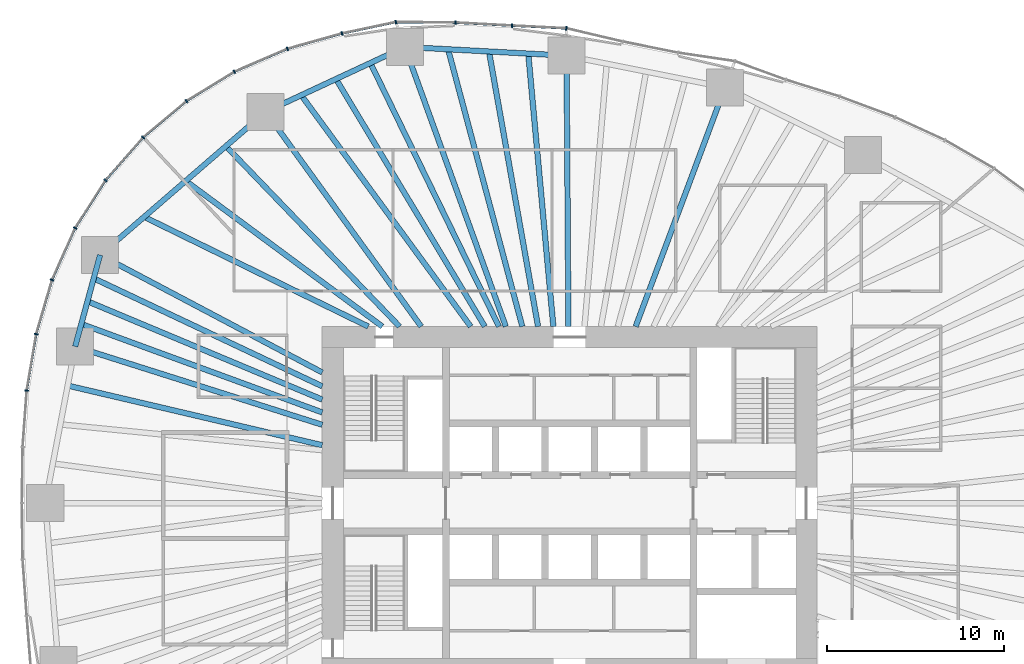
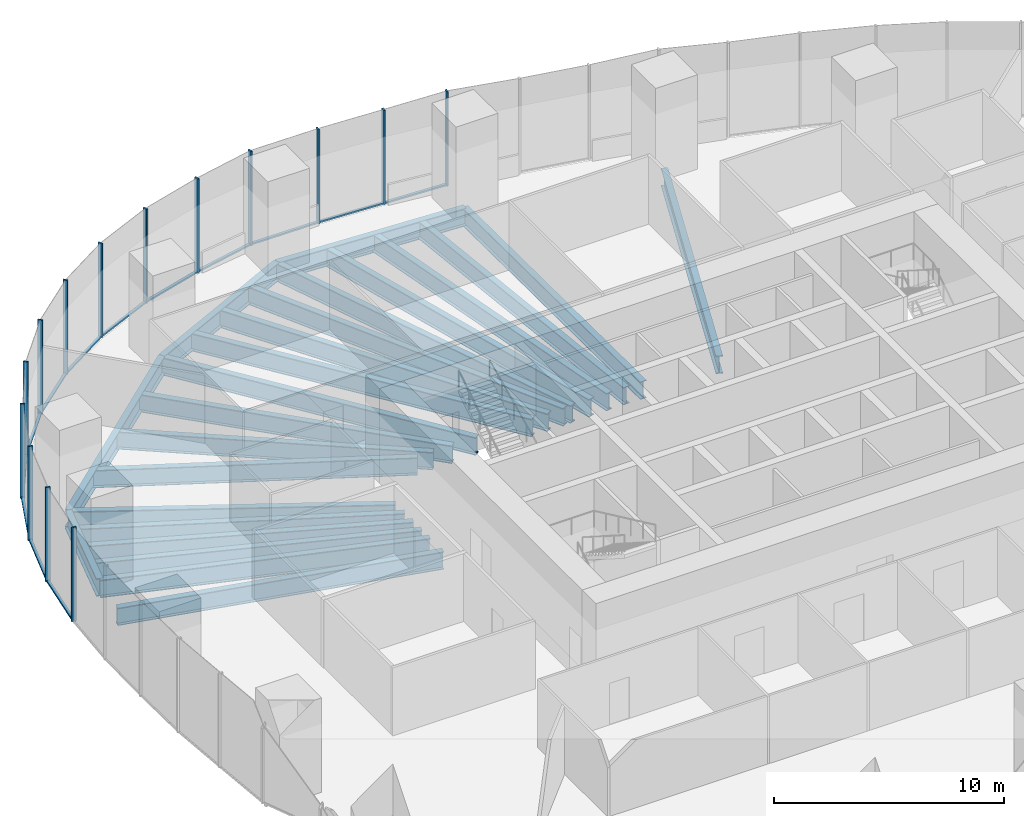
# One storey, part 5 of 20: 27 members, 23 beams, 5 elements without a shape of their own.
"""IFC4 building model written with IfcOpenShell, lengths in metres."""

from ifc_helpers import new_model, si_unit, direction, frame, origin, origin_2d, place, context, subcontext, project, spatial, rectangle, i_section, extrude, material, material_profile, profile_set, type_object, element, aggregate, save


model = new_model("IFC4")

# Units and contexts
model_context = context("Model", 3, precision=1e-05, world=origin(), true_north=direction((0.0, 1.0)))
body_context = subcontext(model_context, "Body", "Model", "MODEL_VIEW")
ifc_project = project(units=[si_unit("LENGTHUNIT", "METRE"), si_unit("AREAUNIT", "SQUARE_METRE"), si_unit("VOLUMEUNIT", "CUBIC_METRE"), si_unit("PLANEANGLEUNIT", "RADIAN"), si_unit("MASSUNIT", "GRAM", prefix="KILO")], contexts=[model_context])

# Site, building, storey
site_placement = place(None, origin())
site = spatial("IfcSite", under=ifc_project, at=site_placement, CompositionType="ELEMENT")
building_placement = place(site_placement, origin())
building = spatial("IfcBuilding", under=site, at=building_placement, Name="Ghaith Harvest Tower", CompositionType="ELEMENT")
storey_placement = place(building_placement, frame((0.0, 0.0, 25.0)))
storey = spatial("IfcBuildingStorey", under=building, at=storey_placement, Name="L05", CompositionType="ELEMENT", Elevation=25.0)

# Curtain wall, members
ifc_material_1 = material(Name="Black anodised aluminium and fritted glass", Category="aluminium")
curtain_wall_type = type_object("IfcCurtainWallType", Name="CW-F CURTAIN WALL", PredefinedType="NOTDEFINED", material=ifc_material_1)
curtain_wall_1_placement = place(storey_placement, origin())
curtain_wall_1 = element("IfcCurtainWall", 1, at=curtain_wall_1_placement, inside=storey, type_object=curtain_wall_type, Name="Curtain wall CW-F bay 06 L05", PredefinedType="NOTDEFINED")
ifc_material_2 = material(Name="Aluminium, black anodised", Category="aluminium")
ifc_material_profile_1 = material_profile(ifc_material_2, rectangle(XDim=0.080078125, YDim=0.219970703125, at=origin_2d()), Name="CW-F MULLION 80x220")
ifc_profile_set_1 = profile_set([ifc_material_profile_1], Name="Aluminium, black anodised")
member_type_1 = type_object("IfcMemberType", Name="CW-F MULLION 80x220", PredefinedType="MULLION", material=ifc_profile_set_1)
member_1_placement = place(storey_placement, frame((-0.183837890625, 26.877197265625, 0.0), z_axis=(0.0, 0.0, 1.0), x_axis=(-0.98971187143, 0.143074845976, 0.0)))
member_1 = element("IfcMember", 2, at=member_1_placement, type_object=member_type_1, Name="CW-F mullion 1 bay 06 L05", PredefinedType="MULLION", context=body_context, shape_type="SweptSolid", body=[
    extrude(rectangle(XDim=0.080078125, YDim=0.219970703125, at=origin_2d()), origin(), (0.0, 0.0, 1.0), 5.0),
])
member_2_placement = place(storey_placement, frame((-3.261962890625, 27.02978515625, 0.0), z_axis=(0.0, 0.0, 1.0), x_axis=(-0.998666923291, 0.051617597049, 0.0)))
member_2 = element("IfcMember", 3, at=member_2_placement, type_object=member_type_1, Name="CW-F mullion 2 bay 06 L05", PredefinedType="MULLION", context=body_context, shape_type="SweptSolid", body=[
    extrude(rectangle(XDim=0.080078125, YDim=0.219970703125, at=origin_2d()), origin(), (0.0, 0.0, 1.0), 5.0),
])
member_3_placement = place(storey_placement, frame((-6.465087890625, 27.20166015625, 0.0), z_axis=(0.0, 0.0, 1.0), x_axis=(-0.999527102163, 0.030750155138, 0.0)))
member_3 = element("IfcMember", 4, at=member_3_placement, type_object=member_type_1, Name="CW-F mullion 3 bay 06 L05", PredefinedType="MULLION", context=body_context, shape_type="SweptSolid", body=[
    extrude(rectangle(XDim=0.080078125, YDim=0.219970703125, at=origin_2d()), origin(), (0.0, 0.0, 1.0), 5.0),
])

curtain_wall_2_placement = place(storey_placement, origin())
curtain_wall_2 = element("IfcCurtainWall", 5, at=curtain_wall_2_placement, inside=storey, type_object=curtain_wall_type, Name="Curtain wall CW-F bay 07 L05", PredefinedType="NOTDEFINED")
member_4_placement = place(storey_placement, frame((-9.835693359375, 27.232177734375, 0.0), z_axis=(0.0, 0.0, 1.0), x_axis=(-0.995408459337, -0.095718332001, 0.0)))
member_4 = element("IfcMember", 6, at=member_4_placement, type_object=member_type_1, Name="CW-F mullion 1 bay 07 L05", PredefinedType="MULLION", context=body_context, shape_type="SweptSolid", body=[
    extrude(rectangle(XDim=0.080078125, YDim=0.219970703125, at=origin_2d()), origin(), (0.0, 0.0, 1.0), 5.0),
])
member_5_placement = place(storey_placement, frame((-12.880615234375, 26.5849609375, 0.0), z_axis=(0.0, 0.0, 1.0), x_axis=(-0.970824511782, -0.239791091, 0.0)))
member_5 = element("IfcMember", 7, at=member_5_placement, type_object=member_type_1, Name="CW-F mullion 2 bay 07 L05", PredefinedType="MULLION", context=body_context, shape_type="SweptSolid", body=[
    extrude(rectangle(XDim=0.080078125, YDim=0.219970703125, at=origin_2d()), origin(), (0.0, 0.0, 1.0), 5.0),
])
member_6_placement = place(storey_placement, frame((-15.97119140625, 25.716552734375, 0.0), z_axis=(0.0, 0.0, 1.0), x_axis=(-0.942293550527, -0.334787790451, 0.0)))
member_6 = element("IfcMember", 8, at=member_6_placement, type_object=member_type_1, Name="CW-F mullion 3 bay 07 L05", PredefinedType="MULLION", context=body_context, shape_type="SweptSolid", body=[
    extrude(rectangle(XDim=0.080078125, YDim=0.219970703125, at=origin_2d()), origin(), (0.0, 0.0, 1.0), 5.0),
])

curtain_wall_3_placement = place(storey_placement, origin())
curtain_wall_3 = element("IfcCurtainWall", 9, at=curtain_wall_3_placement, inside=storey, type_object=curtain_wall_type, Name="Curtain wall CW-F bay 08 L05", PredefinedType="NOTDEFINED")
member_7_placement = place(storey_placement, frame((-18.96728515625, 24.42236328125, 0.0), z_axis=(0.0, 0.0, 1.0), x_axis=(-0.887912253252, -0.460012859086, 0.0)))
member_7 = element("IfcMember", 10, at=member_7_placement, type_object=member_type_1, Name="CW-F mullion 1 bay 08 L05", PredefinedType="MULLION", context=body_context, shape_type="SweptSolid", body=[
    extrude(rectangle(XDim=0.080078125, YDim=0.219970703125, at=origin_2d()), origin(), (0.0, 0.0, 1.0), 5.0),
])
member_8_placement = place(storey_placement, frame((-21.681640625, 22.758056640625, 0.0), z_axis=(0.0, 0.0, 1.0), x_axis=(-0.811400750439, -0.584490224202, 0.0)))
member_8 = element("IfcMember", 11, at=member_8_placement, type_object=member_type_1, Name="CW-F mullion 2 bay 08 L05", PredefinedType="MULLION", context=body_context, shape_type="SweptSolid", body=[
    extrude(rectangle(XDim=0.080078125, YDim=0.219970703125, at=origin_2d()), origin(), (0.0, 0.0, 1.0), 5.0),
])
member_9_placement = place(storey_placement, frame((-24.139404296875, 20.696533203125, 0.0), z_axis=(0.0, 0.0, 1.0), x_axis=(-0.714663248213, -0.699468685256, 0.0)))
member_9 = element("IfcMember", 12, at=member_9_placement, type_object=member_type_1, Name="CW-F mullion 3 bay 08 L05", PredefinedType="MULLION", context=body_context, shape_type="SweptSolid", body=[
    extrude(rectangle(XDim=0.080078125, YDim=0.219970703125, at=origin_2d()), origin(), (0.0, 0.0, 1.0), 5.0),
])

curtain_wall_4_placement = place(storey_placement, origin())
curtain_wall_4 = element("IfcCurtainWall", 13, at=curtain_wall_4_placement, inside=storey, type_object=curtain_wall_type, Name="Curtain wall CW-F bay 09 L05", PredefinedType="NOTDEFINED")
member_10_placement = place(storey_placement, frame((-26.26318359375, 18.274169921875, 0.0), z_axis=(0.0, 0.0, 1.0), x_axis=(-0.599861600644, -0.800103780814, 0.0)))
member_10 = element("IfcMember", 14, at=member_10_placement, type_object=member_type_1, Name="CW-F mullion 1 bay 09 L05", PredefinedType="MULLION", context=body_context, shape_type="SweptSolid", body=[
    extrude(rectangle(XDim=0.080078125, YDim=0.219970703125, at=origin_2d()), origin(), (0.0, 0.0, 1.0), 5.0),
])
member_11_placement = place(storey_placement, frame((-27.986328125, 15.5654296875, 0.0), z_axis=(0.0, 0.0, 1.0), x_axis=(-0.473265082758, -0.880920065297, 0.0)))
member_11 = element("IfcMember", 15, at=member_11_placement, type_object=member_type_1, Name="CW-F mullion 2 bay 09 L05", PredefinedType="MULLION", context=body_context, shape_type="SweptSolid", body=[
    extrude(rectangle(XDim=0.080078125, YDim=0.219970703125, at=origin_2d()), origin(), (0.0, 0.0, 1.0), 5.0),
])
member_12_placement = place(storey_placement, frame((-29.29248046875, 12.63525390625, 0.0), z_axis=(0.0, 0.0, 1.0), x_axis=(-0.344618322502, -0.938742889079, 0.0)))
member_12 = element("IfcMember", 16, at=member_12_placement, type_object=member_type_1, Name="CW-F mullion 3 bay 09 L05", PredefinedType="MULLION", context=body_context, shape_type="SweptSolid", body=[
    extrude(rectangle(XDim=0.080078125, YDim=0.219970703125, at=origin_2d()), origin(), (0.0, 0.0, 1.0), 5.0),
])

curtain_wall_5_placement = place(storey_placement, origin())
curtain_wall_5 = element("IfcCurtainWall", 17, at=curtain_wall_5_placement, inside=storey, type_object=curtain_wall_type, Name="Curtain wall CW-F bay 10 L05", PredefinedType="NOTDEFINED")
member_13_placement = place(storey_placement, frame((-30.1884765625, 9.567138671875, 0.0), z_axis=(0.0, 0.0, 1.0), x_axis=(-0.222967363645, -0.97482590997, 0.0)))
member_13 = element("IfcMember", 18, at=member_13_placement, type_object=member_type_1, Name="CW-F mullion 1 bay 10 L05", PredefinedType="MULLION", context=body_context, shape_type="SweptSolid", body=[
    extrude(rectangle(XDim=0.080078125, YDim=0.219970703125, at=origin_2d()), origin(), (0.0, 0.0, 1.0), 5.0),
])
member_14_placement = place(storey_placement, frame((-30.724365234375, 6.37548828125, 0.0), z_axis=(0.0, 0.0, 1.0), x_axis=(-0.119352816132, -0.99285190501, 0.0)))
member_14 = element("IfcMember", 19, at=member_14_placement, type_object=member_type_1, Name="CW-F mullion 2 bay 10 L05", PredefinedType="MULLION", context=body_context, shape_type="SweptSolid", body=[
    extrude(rectangle(XDim=0.080078125, YDim=0.219970703125, at=origin_2d()), origin(), (0.0, 0.0, 1.0), 5.0),
])

# Member
ifc_material_3 = material(Name="Aluminium, black anodised", Category="aluminium")
ifc_material_profile_2 = material_profile(ifc_material_3, rectangle(XDim=0.139892578125, YDim=0.080078125, at=origin_2d()), Name="CW-F TRANSOM 140x80")
ifc_profile_set_2 = profile_set([ifc_material_profile_2], Name="Aluminium, black anodised")
member_type_2 = type_object("IfcMemberType", Name="CW-F TRANSOM 140x80", PredefinedType="USERDEFINED", material=ifc_profile_set_2)
member_15_placement = place(storey_placement, frame((-0.223876953125, 26.879150390625, 0.0400390625), z_axis=(-0.998772539109, 0.049531960612, 0.0), x_axis=(-0.049531960612, -0.998772539109, 0.0)))
member_15 = element("IfcMember", 20, at=member_15_placement, type_object=member_type_2, Name="CW-F transom 1 bay 06 L05", ObjectType="TRANSOM", PredefinedType="USERDEFINED", context=body_context, shape_type="SweptSolid", body=[
    extrude(rectangle(XDim=0.139892578125, YDim=0.080078125, at=origin_2d()), origin(), (0.0, 0.0, 1.0), 3.001708984375),
])

member_16_placement = place(storey_placement, frame((-3.3017578125, 27.031982421875, 0.0400390625), z_axis=(-0.99856142387, 0.053619798202, 0.0), x_axis=(-0.053619798202, -0.99856142387, 0.0)))
member_16 = element("IfcMember", 21, at=member_16_placement, type_object=member_type_2, Name="CW-F transom 2 bay 06 L05", ObjectType="TRANSOM", PredefinedType="USERDEFINED", context=body_context, shape_type="SweptSolid", body=[
    extrude(rectangle(XDim=0.139892578125, YDim=0.080078125, at=origin_2d()), origin(), (0.0, 0.0, 1.0), 3.1279296875),
])

member_17_placement = place(storey_placement, frame((-6.505126953125, 27.2021484375, 0.0400390625), z_axis=(-0.999959703847, 0.008977231352, 0.0), x_axis=(-0.008977231352, -0.999959703847, 0.0)))
member_17 = element("IfcMember", 22, at=member_17_placement, type_object=member_type_2, Name="CW-F transom 3 bay 06 L05", ObjectType="TRANSOM", PredefinedType="USERDEFINED", context=body_context, shape_type="SweptSolid", body=[
    extrude(rectangle(XDim=0.139892578125, YDim=0.080078125, at=origin_2d()), origin(), (0.0, 0.0, 1.0), 3.290771484375),
])

aggregate(curtain_wall_1, [member_1, member_15, member_2, member_16, member_3, member_17])

member_18_placement = place(storey_placement, frame((-9.874755859375, 27.2236328125, 0.0400390625), z_axis=(-0.978160283029, -0.207852016359, 0.0), x_axis=(0.207852016359, -0.978160283029, 0.0)))
member_18 = element("IfcMember", 23, at=member_18_placement, type_object=member_type_2, Name="CW-F transom 1 bay 07 L05", ObjectType="TRANSOM", PredefinedType="USERDEFINED", context=body_context, shape_type="SweptSolid", body=[
    extrude(rectangle(XDim=0.139892578125, YDim=0.080078125, at=origin_2d()), origin(), (0.0, 0.0, 1.0), 3.03271484375),
])

member_19_placement = place(storey_placement, frame((-12.9189453125, 26.573974609375, 0.0400390625), z_axis=(-0.962727128991, -0.270474536888, 0.0), x_axis=(0.270474536888, -0.962727128991, 0.0)))
member_19 = element("IfcMember", 24, at=member_19_placement, type_object=member_type_2, Name="CW-F transom 2 bay 07 L05", ObjectType="TRANSOM", PredefinedType="USERDEFINED", context=body_context, shape_type="SweptSolid", body=[
    extrude(rectangle(XDim=0.139892578125, YDim=0.080078125, at=origin_2d()), origin(), (0.0, 0.0, 1.0), 3.13037109375),
])

member_20_placement = place(storey_placement, frame((-16.008056640625, 25.70068359375, 0.0400390625), z_axis=(-0.9180027124, -0.396574104079, 0.0), x_axis=(0.396574104079, -0.9180027124, 0.0)))
member_20 = element("IfcMember", 25, at=member_20_placement, type_object=member_type_2, Name="CW-F transom 3 bay 07 L05", ObjectType="TRANSOM", PredefinedType="USERDEFINED", context=body_context, shape_type="SweptSolid", body=[
    extrude(rectangle(XDim=0.139892578125, YDim=0.080078125, at=origin_2d()), origin(), (0.0, 0.0, 1.0), 3.183349609375),
])

aggregate(curtain_wall_2, [member_4, member_18, member_5, member_19, member_6, member_20])

member_21_placement = place(storey_placement, frame((-19.001220703125, 24.4013671875, 0.0400390625), z_axis=(-0.852561687195, -0.522626606219, 0.0), x_axis=(0.522626606219, -0.852561687195, 0.0)))
member_21 = element("IfcMember", 26, at=member_21_placement, type_object=member_type_2, Name="CW-F transom 1 bay 08 L05", ObjectType="TRANSOM", PredefinedType="USERDEFINED", context=body_context, shape_type="SweptSolid", body=[
    extrude(rectangle(XDim=0.139892578125, YDim=0.080078125, at=origin_2d()), origin(), (0.0, 0.0, 1.0), 3.104248046875),
])

member_22_placement = place(storey_placement, frame((-21.71240234375, 22.732421875, 0.0400390625), z_axis=(-0.766144434184, -0.642668426149, 0.0), x_axis=(0.642668426149, -0.766144434184, 0.0)))
member_22 = element("IfcMember", 27, at=member_22_placement, type_object=member_type_2, Name="CW-F transom 2 bay 08 L05", ObjectType="TRANSOM", PredefinedType="USERDEFINED", context=body_context, shape_type="SweptSolid", body=[
    extrude(rectangle(XDim=0.139892578125, YDim=0.080078125, at=origin_2d()), origin(), (0.0, 0.0, 1.0), 3.1279296875),
])

member_23_placement = place(storey_placement, frame((-24.165771484375, 20.66650390625, 0.0400390625), z_axis=(-0.65923052982, -0.751940894322, 0.0), x_axis=(0.751940894322, -0.65923052982, 0.0)))
member_23 = element("IfcMember", 28, at=member_23_placement, type_object=member_type_2, Name="CW-F transom 3 bay 08 L05", ObjectType="TRANSOM", PredefinedType="USERDEFINED", context=body_context, shape_type="SweptSolid", body=[
    extrude(rectangle(XDim=0.139892578125, YDim=0.080078125, at=origin_2d()), origin(), (0.0, 0.0, 1.0), 3.1416015625),
])

aggregate(curtain_wall_3, [member_7, member_21, member_8, member_22, member_9, member_23])

member_24_placement = place(storey_placement, frame((-26.28466796875, 18.240234375, 0.0400390625), z_axis=(-0.536754366643, -0.843738555412, 0.0), x_axis=(0.843738555412, -0.536754366643, 0.0)))
member_24 = element("IfcMember", 29, at=member_24_placement, type_object=member_type_2, Name="CW-F transom 1 bay 09 L05", ObjectType="TRANSOM", PredefinedType="USERDEFINED", context=body_context, shape_type="SweptSolid", body=[
    extrude(rectangle(XDim=0.139892578125, YDim=0.080078125, at=origin_2d()), origin(), (0.0, 0.0, 1.0), 3.13037109375),
])

member_25_placement = place(storey_placement, frame((-28.002685546875, 15.52880859375, 0.0400390625), z_axis=(-0.407123143204, -0.913373278714, 0.0), x_axis=(0.913373278714, -0.407123143204, 0.0)))
member_25 = element("IfcMember", 30, at=member_25_placement, type_object=member_type_2, Name="CW-F transom 2 bay 09 L05", ObjectType="TRANSOM", PredefinedType="USERDEFINED", context=body_context, shape_type="SweptSolid", body=[
    extrude(rectangle(XDim=0.139892578125, YDim=0.080078125, at=origin_2d()), origin(), (0.0, 0.0, 1.0), 3.1279296875),
])

member_26_placement = place(storey_placement, frame((-29.3037109375, 12.596923828125, 0.0400390625), z_axis=(-0.280324903873, -0.959905176707, 0.0), x_axis=(0.959905176707, -0.280324903873, 0.0)))
member_26 = element("IfcMember", 31, at=member_26_placement, type_object=member_type_2, Name="CW-F transom 3 bay 09 L05", ObjectType="TRANSOM", PredefinedType="USERDEFINED", context=body_context, shape_type="SweptSolid", body=[
    extrude(rectangle(XDim=0.139892578125, YDim=0.080078125, at=origin_2d()), origin(), (0.0, 0.0, 1.0), 3.1162109375),
])

aggregate(curtain_wall_4, [member_10, member_24, member_11, member_25, member_12, member_26])

member_27_placement = place(storey_placement, frame((-30.195068359375, 9.52783203125, 0.0400390625), z_axis=(-0.165527763099, -0.986205130611, 0.0), x_axis=(0.986205130611, -0.165527763099, 0.0)))
member_27 = element("IfcMember", 32, at=member_27_placement, type_object=member_type_2, Name="CW-F transom 1 bay 10 L05", ObjectType="TRANSOM", PredefinedType="USERDEFINED", context=body_context, shape_type="SweptSolid", body=[
    extrude(rectangle(XDim=0.139892578125, YDim=0.080078125, at=origin_2d()), origin(), (0.0, 0.0, 1.0), 3.15625),
])

aggregate(curtain_wall_5, [member_13, member_27, member_14])

# Beams
ifc_material_4 = material(Name="Steel ASTM A992 Grade 50", Category="steel")
ifc_material_profile_3 = material_profile(ifc_material_4, i_section(OverallWidth=0.306884765625, OverallDepth=0.94189453125, WebThickness=0.022216796875, FlangeThickness=0.039794921875, at=origin_2d()), Name="W920X345")
ifc_profile_set_3 = profile_set([ifc_material_profile_3], Name="Steel ASTM A992 Grade 50")
beam_type_1 = type_object("IfcBeamType", Name="E920-345 W920X345", PredefinedType="SPANDREL", material=ifc_profile_set_3)
beam_1_placement = place(storey_placement, frame((-0.173095703125, 25.326904296875, -0.6708984375), z_axis=(-0.998545840532, 0.053909223293, 0.0), x_axis=(-0.053909223293, -0.998545840532, 0.0)))
element("IfcBeam", 33, at=beam_1_placement, inside=storey, type_object=beam_type_1, Name="Edge beam E06 L05", PredefinedType="SPANDREL", context=body_context, shape_type="SweptSolid", body=[
    extrude(i_section(OverallWidth=0.306884765625, OverallDepth=0.94189453125, WebThickness=0.022216796875, FlangeThickness=0.039794921875, at=origin_2d()), origin(), (0.0, 0.0, 1.0), 9.166259765625),
])
beam_2_placement = place(storey_placement, frame((-9.325927734375, 25.821044921875, -0.6708984375), z_axis=(-0.906373259523, -0.422477827137, 0.0), x_axis=(0.422477827137, -0.906373259523, 0.0)))
element("IfcBeam", 34, at=beam_2_placement, inside=storey, type_object=beam_type_1, Name="Edge beam E07 L05", PredefinedType="SPANDREL", context=body_context, shape_type="SweptSolid", body=[
    extrude(i_section(OverallWidth=0.306884765625, OverallDepth=0.94189453125, WebThickness=0.022216796875, FlangeThickness=0.039794921875, at=origin_2d()), origin(), (0.0, 0.0, 1.0), 8.689453125),
])
beam_3_placement = place(storey_placement, frame((-17.201904296875, 22.14990234375, -0.6708984375), z_axis=(-0.756392158274, -0.654118416574, 0.0), x_axis=(0.654118416574, -0.756392158274, 0.0)))
element("IfcBeam", 35, at=beam_3_placement, inside=storey, type_object=beam_type_1, Name="Edge beam E08 L05", PredefinedType="SPANDREL", context=body_context, shape_type="SweptSolid", body=[
    extrude(i_section(OverallWidth=0.306884765625, OverallDepth=0.94189453125, WebThickness=0.022216796875, FlangeThickness=0.039794921875, at=origin_2d()), origin(), (0.0, 0.0, 1.0), 12.38916015625),
])
beam_4_placement = place(storey_placement, frame((-26.572998046875, 14.0458984375, -0.6708984375), z_axis=(-0.262724740433, -0.964870825947, 0.0), x_axis=(0.964870825947, -0.262724740433, 0.0)))
element("IfcBeam", 36, at=beam_4_placement, inside=storey, type_object=beam_type_1, Name="Edge beam E09 L05", PredefinedType="SPANDREL", context=body_context, shape_type="SweptSolid", body=[
    extrude(i_section(OverallWidth=0.306884765625, OverallDepth=0.94189453125, WebThickness=0.022216796875, FlangeThickness=0.039794921875, at=origin_2d()), origin(), (0.0, 0.0, 1.0), 5.366455078125),
])
ifc_material_5 = material(Name="Steel ASTM A992 Grade 50", Category="steel")
ifc_material_profile_4 = material_profile(ifc_material_5, i_section(OverallWidth=0.306884765625, OverallDepth=0.94189453125, WebThickness=0.022216796875, FlangeThickness=0.039794921875, at=origin_2d()), Name="W920X345")
ifc_profile_set_4 = profile_set([ifc_material_profile_4], Name="Steel ASTM A992 Grade 50")
beam_type_2 = type_object("IfcBeamType", Name="G920-345 W920X345", PredefinedType="BEAM", material=ifc_profile_set_4)
beam_5_placement = place(storey_placement, frame((3.73828125, 10.0, -0.6708984375), z_axis=(0.350150596156, 0.936693418367, 0.0), x_axis=(-0.936693418367, 0.350150596156, 0.0)))
element("IfcBeam", 37, at=beam_5_placement, inside=storey, type_object=beam_type_2, Name="Radial girder G05 L05", PredefinedType="BEAM", context=body_context, shape_type="SweptSolid", body=[
    extrude(i_section(OverallWidth=0.306884765625, OverallDepth=0.94189453125, WebThickness=0.022216796875, FlangeThickness=0.039794921875, at=origin_2d()), origin(), (0.0, 0.0, 1.0), 14.44140625),
])
beam_6_placement = place(storey_placement, frame((-0.068359375, 10.0, -0.6708984375), z_axis=(-0.006833335732, 0.999976652489, 0.0), x_axis=(-0.999976652489, -0.006833335732, 0.0)))
element("IfcBeam", 38, at=beam_6_placement, inside=storey, type_object=beam_type_2, Name="Radial girder G06 L05", PredefinedType="BEAM", context=body_context, shape_type="SweptSolid", body=[
    extrude(i_section(OverallWidth=0.306884765625, OverallDepth=0.94189453125, WebThickness=0.022216796875, FlangeThickness=0.039794921875, at=origin_2d()), origin(), (0.0, 0.0, 1.0), 15.3271484375),
])
beam_7_placement = place(storey_placement, frame((-3.61181640625, 10.0, -0.6708984375), z_axis=(-0.339694751271, 0.940535738799, 0.0), x_axis=(-0.940535738799, -0.339694751271, 0.0)))
element("IfcBeam", 39, at=beam_7_placement, inside=storey, type_object=beam_type_2, Name="Radial girder G07 L05", PredefinedType="BEAM", context=body_context, shape_type="SweptSolid", body=[
    extrude(i_section(OverallWidth=0.306884765625, OverallDepth=0.94189453125, WebThickness=0.022216796875, FlangeThickness=0.039794921875, at=origin_2d()), origin(), (0.0, 0.0, 1.0), 16.8212890625),
])
beam_8_placement = place(storey_placement, frame((-8.39990234375, 10.0, -0.6708984375), z_axis=(-0.586675813287, 0.809821887889, 0.0), x_axis=(-0.809821887889, -0.586675813287, 0.0)))
element("IfcBeam", 40, at=beam_8_placement, inside=storey, type_object=beam_type_2, Name="Radial girder G08 L05", PredefinedType="BEAM", context=body_context, shape_type="SweptSolid", body=[
    extrude(i_section(OverallWidth=0.306884765625, OverallDepth=0.94189453125, WebThickness=0.022216796875, FlangeThickness=0.039794921875, at=origin_2d()), origin(), (0.0, 0.0, 1.0), 15.003173828125),
])
beam_9_placement = place(storey_placement, frame((-14.0, 7.39990234375, -0.6708984375), z_axis=(-0.88408713845, 0.467322085533, 0.0), x_axis=(-0.467322085533, -0.88408713845, 0.0)))
element("IfcBeam", 41, at=beam_9_placement, inside=storey, type_object=beam_type_2, Name="Radial girder G09 L05", PredefinedType="BEAM", context=body_context, shape_type="SweptSolid", body=[
    extrude(i_section(OverallWidth=0.306884765625, OverallDepth=0.94189453125, WebThickness=0.022216796875, FlangeThickness=0.039794921875, at=origin_2d()), origin(), (0.0, 0.0, 1.0), 14.221435546875),
])
beam_10_placement = place(storey_placement, frame((-14.0, 4.43701171875, -0.6708984375), z_axis=(-0.953283605796, 0.302076756671, 0.0), x_axis=(-0.302076756671, -0.953283605796, 0.0)))
element("IfcBeam", 42, at=beam_10_placement, inside=storey, type_object=beam_type_2, Name="Radial girder G10 L05", PredefinedType="BEAM", context=body_context, shape_type="SweptSolid", body=[
    extrude(i_section(OverallWidth=0.306884765625, OverallDepth=0.94189453125, WebThickness=0.022216796875, FlangeThickness=0.039794921875, at=origin_2d()), origin(), (0.0, 0.0, 1.0), 14.668212890625),
])
ifc_material_6 = material(Name="Steel ASTM A992 Grade 50", Category="steel")
ifc_material_profile_5 = material_profile(ifc_material_6, i_section(OverallWidth=0.31005859375, OverallDepth=0.927001953125, WebThickness=0.019287109375, FlangeThickness=0.031982421875, at=origin_2d()), Name="W920X289")
ifc_profile_set_5 = profile_set([ifc_material_profile_5], Name="Steel ASTM A992 Grade 50")
beam_type_3 = type_object("IfcBeamType", Name="J920-289 W920X289", PredefinedType="JOIST", material=ifc_profile_set_5)
beam_11_placement = place(storey_placement, frame((-0.92041015625, 10.0, -0.66357421875), z_axis=(-0.091647013776, 0.995791556936, 0.0), x_axis=(-0.995791556936, -0.091647013776, 0.0)))
element("IfcBeam", 43, at=beam_11_placement, inside=storey, type_object=beam_type_3, Name="Joist J06.1 L05", PredefinedType="JOIST", context=body_context, shape_type="SweptSolid", body=[
    extrude(i_section(OverallWidth=0.31005859375, OverallDepth=0.927001953125, WebThickness=0.019287109375, FlangeThickness=0.031982421875, at=origin_2d()), origin(), (0.0, 0.0, 1.0), 15.50927734375),
])
beam_12_placement = place(storey_placement, frame((-1.785888671875, 10.0, -0.66357421875), z_axis=(-0.175789035136, 0.984427861819, 0.0), x_axis=(-0.984427861819, -0.175789035136, 0.0)))
element("IfcBeam", 44, at=beam_12_placement, inside=storey, type_object=beam_type_3, Name="Joist J06.2 L05", PredefinedType="JOIST", context=body_context, shape_type="SweptSolid", body=[
    extrude(i_section(OverallWidth=0.31005859375, OverallDepth=0.927001953125, WebThickness=0.019287109375, FlangeThickness=0.031982421875, at=origin_2d()), origin(), (0.0, 0.0, 1.0), 15.810302734375),
])
beam_13_placement = place(storey_placement, frame((-10.60009765625, 10.0, -0.66357421875), z_axis=(-0.803663089107, 0.595084564752, 0.0), x_axis=(-0.595084564752, -0.803663089107, 0.0)))
element("IfcBeam", 45, at=beam_13_placement, inside=storey, type_object=beam_type_3, Name="Joist J08.2 L05", PredefinedType="JOIST", context=body_context, shape_type="SweptSolid", body=[
    extrude(i_section(OverallWidth=0.31005859375, OverallDepth=0.927001953125, WebThickness=0.019287109375, FlangeThickness=0.031982421875, at=origin_2d()), origin(), (0.0, 0.0, 1.0), 13.843505859375),
])
beam_14_placement = place(storey_placement, frame((-11.39990234375, 10.0, -0.66357421875), z_axis=(-0.898274832354, 0.439434096946, 0.0), x_axis=(-0.439434096946, -0.898274832354, 0.0)))
element("IfcBeam", 46, at=beam_14_placement, inside=storey, type_object=beam_type_3, Name="Joist J08.3 L05", PredefinedType="JOIST", context=body_context, shape_type="SweptSolid", body=[
    extrude(i_section(OverallWidth=0.31005859375, OverallDepth=0.927001953125, WebThickness=0.019287109375, FlangeThickness=0.031982421875, at=origin_2d()), origin(), (0.0, 0.0, 1.0), 14.114990234375),
])
beam_15_placement = place(storey_placement, frame((-14.0, 6.614990234375, -0.66357421875), z_axis=(-0.904153428261, 0.427207886354, 0.0), x_axis=(-0.427207886354, -0.904153428261, 0.0)))
element("IfcBeam", 47, at=beam_15_placement, inside=storey, type_object=beam_type_3, Name="Joist J09.1 L05", PredefinedType="JOIST", context=body_context, shape_type="SweptSolid", body=[
    extrude(i_section(OverallWidth=0.31005859375, OverallDepth=0.927001953125, WebThickness=0.019287109375, FlangeThickness=0.031982421875, at=origin_2d()), origin(), (0.0, 0.0, 1.0), 14.303466796875),
])
beam_16_placement = place(storey_placement, frame((-14.0, 5.862548828125, -0.66357421875), z_axis=(-0.922385943167, 0.38626955853, 0.0), x_axis=(-0.38626955853, -0.922385943167, 0.0)))
element("IfcBeam", 48, at=beam_16_placement, inside=storey, type_object=beam_type_3, Name="Joist J09.2 L05", PredefinedType="JOIST", context=body_context, shape_type="SweptSolid", body=[
    extrude(i_section(OverallWidth=0.31005859375, OverallDepth=0.927001953125, WebThickness=0.019287109375, FlangeThickness=0.031982421875, at=origin_2d()), origin(), (0.0, 0.0, 1.0), 14.404296875),
])
beam_17_placement = place(storey_placement, frame((-14.0, 5.137939453125, -0.66357421875), z_axis=(-0.93877541132, 0.344529718748, 0.0), x_axis=(-0.344529718748, -0.93877541132, 0.0)))
element("IfcBeam", 49, at=beam_17_placement, inside=storey, type_object=beam_type_3, Name="Joist J09.3 L05", PredefinedType="JOIST", context=body_context, shape_type="SweptSolid", body=[
    extrude(i_section(OverallWidth=0.31005859375, OverallDepth=0.927001953125, WebThickness=0.019287109375, FlangeThickness=0.031982421875, at=origin_2d()), origin(), (0.0, 0.0, 1.0), 14.525390625),
])
beam_18_placement = place(storey_placement, frame((-14.0, 3.280517578125, -0.66357421875), z_axis=(-0.973623012228, 0.228162727151, 0.0), x_axis=(-0.228162727151, -0.973623012228, 0.0)))
element("IfcBeam", 50, at=beam_18_placement, inside=storey, type_object=beam_type_3, Name="Joist J10.1 L05", PredefinedType="JOIST", context=body_context, shape_type="SweptSolid", body=[
    extrude(i_section(OverallWidth=0.31005859375, OverallDepth=0.927001953125, WebThickness=0.019287109375, FlangeThickness=0.031982421875, at=origin_2d()), origin(), (0.0, 0.0, 1.0), 14.795166015625),
])
ifc_material_7 = material(Name="Steel ASTM A992 Grade 50", Category="steel")
ifc_material_profile_6 = material_profile(ifc_material_7, i_section(OverallWidth=0.306884765625, OverallDepth=0.94189453125, WebThickness=0.022216796875, FlangeThickness=0.039794921875, at=origin_2d()), Name="W920X345")
ifc_profile_set_6 = profile_set([ifc_material_profile_6], Name="Steel ASTM A992 Grade 50")
beam_type_4 = type_object("IfcBeamType", Name="J920-345 W920X345", PredefinedType="JOIST", material=ifc_profile_set_6)
beam_19_placement = place(storey_placement, frame((-2.677978515625, 10.0, -0.6708984375), z_axis=(-0.258679482451, 0.965963211183, 0.0), x_axis=(-0.965963211183, -0.258679482451, 0.0)))
element("IfcBeam", 51, at=beam_19_placement, inside=storey, type_object=beam_type_4, Name="Joist J06.3 L05", PredefinedType="JOIST", context=body_context, shape_type="SweptSolid", body=[
    extrude(i_section(OverallWidth=0.306884765625, OverallDepth=0.94189453125, WebThickness=0.022216796875, FlangeThickness=0.039794921875, at=origin_2d()), origin(), (0.0, 0.0, 1.0), 16.24169921875),
])
beam_20_placement = place(storey_placement, frame((-4.0, 10.0, -0.6708984375), z_axis=(-0.438505380705, 0.898728563635, 0.0), x_axis=(-0.898728563635, -0.438505380705, 0.0)))
element("IfcBeam", 52, at=beam_20_placement, inside=storey, type_object=beam_type_4, Name="Joist J07.1 L05", PredefinedType="JOIST", context=body_context, shape_type="SweptSolid", body=[
    extrude(i_section(OverallWidth=0.306884765625, OverallDepth=0.94189453125, WebThickness=0.022216796875, FlangeThickness=0.039794921875, at=origin_2d()), origin(), (0.0, 0.0, 1.0), 16.592529296875),
])
beam_21_placement = place(storey_placement, frame((-4.800048828125, 10.0, -0.6708984375), z_axis=(-0.515358894704, 0.85697445099, 0.0), x_axis=(-0.85697445099, -0.515358894704, 0.0)))
element("IfcBeam", 53, at=beam_21_placement, inside=storey, type_object=beam_type_4, Name="Joist J07.2 L05", PredefinedType="JOIST", context=body_context, shape_type="SweptSolid", body=[
    extrude(i_section(OverallWidth=0.306884765625, OverallDepth=0.94189453125, WebThickness=0.022216796875, FlangeThickness=0.039794921875, at=origin_2d()), origin(), (0.0, 0.0, 1.0), 16.34228515625),
])
beam_22_placement = place(storey_placement, frame((-5.60009765625, 10.0, -0.6708984375), z_axis=(-0.591008736068, 0.806665155992, 0.0), x_axis=(-0.806665155992, -0.591008736068, 0.0)))
element("IfcBeam", 54, at=beam_22_placement, inside=storey, type_object=beam_type_4, Name="Joist J07.3 L05", PredefinedType="JOIST", context=body_context, shape_type="SweptSolid", body=[
    extrude(i_section(OverallWidth=0.306884765625, OverallDepth=0.94189453125, WebThickness=0.022216796875, FlangeThickness=0.039794921875, at=origin_2d()), origin(), (0.0, 0.0, 1.0), 16.22509765625),
])
beam_23_placement = place(storey_placement, frame((-9.626708984375, 10.0, -0.6708984375), z_axis=(-0.693535693616, 0.720422266231, 0.0), x_axis=(-0.720422266231, -0.693535693616, 0.0)))
element("IfcBeam", 55, at=beam_23_placement, inside=storey, type_object=beam_type_4, Name="Joist J08.1 L05", PredefinedType="JOIST", context=body_context, shape_type="SweptSolid", body=[
    extrude(i_section(OverallWidth=0.306884765625, OverallDepth=0.94189453125, WebThickness=0.022216796875, FlangeThickness=0.039794921875, at=origin_2d()), origin(), (0.0, 0.0, 1.0), 14.16552734375),
])

save(model, "model.ifc")
